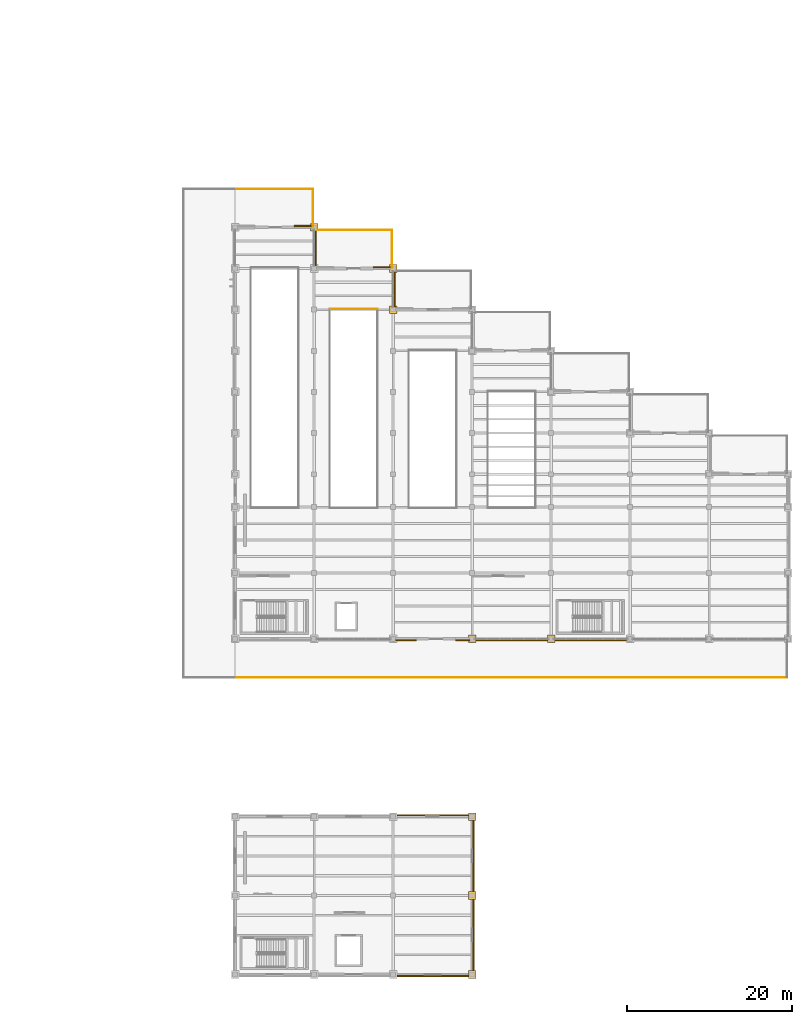
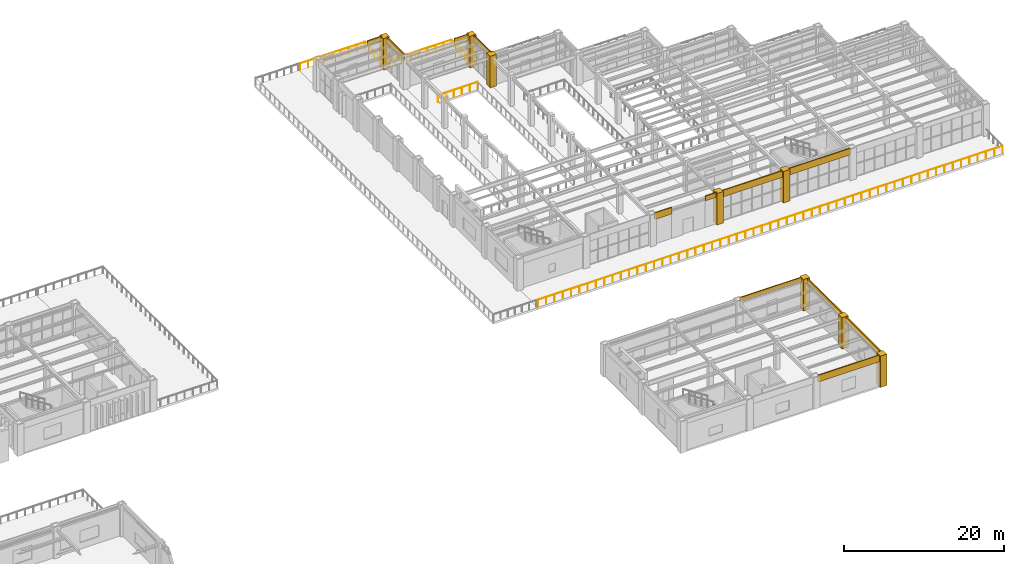
# One storey, part 80 of 83: 20 coverings, 6 railings.
"""IFC4 building model written with IfcOpenShell, lengths in metres."""

from ifc_helpers import new_model, si_unit, direction, frame, origin, origin_2d, place, context, subcontext, project, spatial, polyline, circle, outline, extrude, material, layer, layer_set, type_object, element, save


model = new_model("IFC4")

# Units and contexts
model_context = context("Model", 3, precision=1e-05, world=origin(), true_north=direction((0.0, 1.0)))
body_context = subcontext(model_context, "Body", "Model", "MODEL_VIEW")
ifc_project = project(units=[si_unit("LENGTHUNIT", "METRE"), si_unit("AREAUNIT", "SQUARE_METRE"), si_unit("VOLUMEUNIT", "CUBIC_METRE"), si_unit("PLANEANGLEUNIT", "RADIAN"), si_unit("MASSUNIT", "GRAM", prefix="KILO")], contexts=[model_context])

# Site, building, storey
site_placement = place(None, origin())
site = spatial("IfcSite", under=ifc_project, at=site_placement, CompositionType="ELEMENT")
building_placement = place(site_placement, origin())
building = spatial("IfcBuilding", under=site, at=building_placement, Name="Mavantir Sound Aquarium", CompositionType="ELEMENT")
storey_placement = place(building_placement, frame((0.0, 0.0, 10.5)))
storey = spatial("IfcBuildingStorey", under=building, at=storey_placement, Name="L02", CompositionType="ELEMENT", Elevation=10.5)

# Coverings
ifc_material_1 = material(Name="Honed Coral-Limestone & Glazed Terracotta Rainscreen Cladding", Category="masonry")
ifc_layer = layer(ifc_material_1, 0.06005859375, Name="Honed Coral-Limestone & Glazed Terracotta Rainscreen Cladding")
ifc_layer_set = layer_set([ifc_layer], Name="Honed Coral-Limestone & Glazed Terracotta Rainscreen Cladding")
covering_type = type_object("IfcCoveringType", Name="COV-CLAD-TC", PredefinedType="CLADDING", material=ifc_layer_set)
covering_1_placement = place(storey_placement, frame((0.0, 0.0, 3.862060546875)))
element("IfcCovering", 1, at=covering_1_placement, inside=storey, type_object=covering_type, Name="L02 Postmodern coral-limestone spandrel frieze 351", PredefinedType="CLADDING", context=body_context, shape_type="SweptSolid", body=[
    extrude(outline(polyline([(127.2900390625, 81.10791015625), (127.2900390625, 85.491943359375), (127.43994140625, 85.491943359375), (127.43994140625, 81.10791015625), (127.2900390625, 81.10791015625)])), origin(), (0.0, 0.0, 1.0), 0.93798828125),
])
covering_2_placement = place(storey_placement, frame((0.0, 0.0, 3.862060546875)))
element("IfcCovering", 2, at=covering_2_placement, inside=storey, type_object=covering_type, Name="L02 Postmodern coral-limestone spandrel frieze 352", PredefinedType="CLADDING", context=body_context, shape_type="SweptSolid", body=[
    extrude(outline(polyline([(126.89208984375, 85.889892578125), (124.804931640625, 85.889892578125), (124.804931640625, 86.0400390625), (126.89208984375, 86.0400390625), (126.89208984375, 85.889892578125)])), origin(), (0.0, 0.0, 1.0), 0.93798828125),
])
covering_3_placement = place(storey_placement, frame((0.0, 0.0, 3.7939453125)))
element("IfcCovering", 3, at=covering_3_placement, inside=storey, type_object=covering_type, Name="L02 Postmodern coral-limestone spandrel frieze 354", PredefinedType="CLADDING", context=body_context, shape_type="SweptSolid", body=[
    extrude(outline(polyline([(117.68994140625, 86.10791015625), (117.68994140625, 90.491943359375), (117.840087890625, 90.491943359375), (117.840087890625, 86.10791015625), (117.68994140625, 86.10791015625)])), origin(), (0.0, 0.0, 1.0), 1.006103515625),
])
covering_4_placement = place(storey_placement, frame((0.0, 0.0, 4.097900390625)))
element("IfcCovering", 4, at=covering_4_placement, inside=storey, type_object=covering_type, Name="L02 Postmodern coral-limestone spandrel frieze 355", PredefinedType="CLADDING", context=body_context, shape_type="SweptSolid", body=[
    extrude(outline(polyline([(117.2919921875, 90.889892578125), (115.205078125, 90.889892578125), (115.205078125, 91.0400390625), (117.2919921875, 91.0400390625), (117.2919921875, 90.889892578125)])), origin(), (0.0, 0.0, 1.0), 0.7021484375),
])
covering_5_placement = place(storey_placement, frame((0.0, 0.0, 3.794921875)))
element("IfcCovering", 5, at=covering_5_placement, inside=storey, type_object=covering_type, Name="L02 Postmodern coral-limestone spandrel frieze 367", PredefinedType="CLADDING", context=body_context, shape_type="SweptSolid", body=[
    extrude(outline(polyline([(127.508056640625, 40.7099609375), (129.9951171875, 40.7099609375), (129.9951171875, 40.56005859375), (127.508056640625, 40.56005859375), (127.508056640625, 40.7099609375)])), origin(), (0.0, 0.0, 1.0), 1.005126953125),
])
covering_6_placement = place(storey_placement, frame((0.0, 0.0, 4.097900390625)))
element("IfcCovering", 6, at=covering_6_placement, inside=storey, type_object=covering_type, Name="L02 Postmodern coral-limestone spandrel frieze 368", PredefinedType="CLADDING", context=body_context, shape_type="SweptSolid", body=[
    extrude(outline(polyline([(134.804931640625, 40.7099609375), (136.491943359375, 40.7099609375), (136.491943359375, 40.56005859375), (134.804931640625, 40.56005859375), (134.804931640625, 40.7099609375)])), origin(), (0.0, 0.0, 1.0), 0.7021484375),
])
covering_7_placement = place(storey_placement, frame((0.0, 0.0, 3.794921875)))
element("IfcCovering", 7, at=covering_7_placement, inside=storey, type_object=covering_type, Name="L02 Postmodern coral-limestone spandrel frieze 369", PredefinedType="CLADDING", context=body_context, shape_type="SweptSolid", body=[
    extrude(outline(polyline([(137.10791015625, 40.7099609375), (146.092041015625, 40.7099609375), (146.092041015625, 40.56005859375), (137.10791015625, 40.56005859375), (137.10791015625, 40.7099609375)])), origin(), (0.0, 0.0, 1.0), 1.005126953125),
])
covering_8_placement = place(storey_placement, frame((0.0, 0.0, 3.794921875)))
element("IfcCovering", 8, at=covering_8_placement, inside=storey, type_object=covering_type, Name="L02 Postmodern coral-limestone spandrel frieze 370", PredefinedType="CLADDING", context=body_context, shape_type="SweptSolid", body=[
    extrude(outline(polyline([(146.7080078125, 40.7099609375), (155.69189453125, 40.7099609375), (155.69189453125, 40.56005859375), (146.7080078125, 40.56005859375), (146.7080078125, 40.7099609375)])), origin(), (0.0, 0.0, 1.0), 1.005126953125),
])
covering_9_placement = place(storey_placement, frame((0.0, 0.0, 3.97900390625)))
element("IfcCovering", 9, at=covering_9_placement, inside=storey, type_object=covering_type, Name="L02 Postmodern coral-limestone spandrel frieze 389", PredefinedType="CLADDING", context=body_context, shape_type="SweptSolid", body=[
    extrude(outline(polyline([(136.889892578125, 0.30810546875), (136.889892578125, 9.2919921875), (137.0400390625, 9.2919921875), (137.0400390625, 0.30810546875), (136.889892578125, 0.30810546875)])), origin(), (0.0, 0.0, 1.0), 0.821044921875),
])
covering_10_placement = place(storey_placement, frame((0.0, 0.0, 3.97900390625)))
element("IfcCovering", 10, at=covering_10_placement, inside=storey, type_object=covering_type, Name="L02 Postmodern coral-limestone spandrel frieze 390", PredefinedType="CLADDING", context=body_context, shape_type="SweptSolid", body=[
    extrude(outline(polyline([(136.889892578125, 9.907958984375), (136.889892578125, 18.89208984375), (137.0400390625, 18.89208984375), (137.0400390625, 9.907958984375), (136.889892578125, 9.907958984375)])), origin(), (0.0, 0.0, 1.0), 0.821044921875),
])
covering_11_placement = place(storey_placement, frame((0.0, 0.0, 4.087890625)))
element("IfcCovering", 11, at=covering_11_placement, inside=storey, type_object=covering_type, Name="L02 Postmodern coral-limestone spandrel frieze 391", PredefinedType="CLADDING", context=body_context, shape_type="SweptSolid", body=[
    extrude(outline(polyline([(136.491943359375, 19.2900390625), (127.508056640625, 19.2900390625), (127.508056640625, 19.43994140625), (136.491943359375, 19.43994140625), (136.491943359375, 19.2900390625)])), origin(), (0.0, 0.0, 1.0), 0.712158203125),
])
covering_12_placement = place(storey_placement, frame((0.0, 0.0, 3.784912109375)))
element("IfcCovering", 12, at=covering_12_placement, inside=storey, type_object=covering_type, Name="L02 Postmodern coral-limestone spandrel frieze 398", PredefinedType="CLADDING", context=body_context, shape_type="SweptSolid", body=[
    extrude(outline(polyline([(127.508056640625, -0.090087890625), (136.491943359375, -0.090087890625), (136.491943359375, -0.239990234375), (127.508056640625, -0.239990234375), (127.508056640625, -0.090087890625)])), origin(), (0.0, 0.0, 1.0), 1.01513671875),
])
covering_13_placement = place(storey_placement, origin())
element("IfcCovering", 13, at=covering_13_placement, inside=storey, type_object=covering_type, Name="L02 Postmodern coral-limestone pilaster casing 259", PredefinedType="CLADDING", context=body_context, shape_type="SweptSolid", body=[
    extrude(outline(polyline([(117.139892578125, 90.340087890625), (118.06005859375, 90.340087890625), (118.06005859375, 91.260009765625), (117.139892578125, 91.260009765625), (117.139892578125, 90.340087890625)])), origin(), (0.0, 0.0, 1.0), 4.800048828125),
])
covering_14_placement = place(storey_placement, origin())
element("IfcCovering", 14, at=covering_14_placement, inside=storey, type_object=covering_type, Name="L02 Postmodern coral-limestone pilaster casing 267", PredefinedType="CLADDING", context=body_context, shape_type="SweptSolid", body=[
    extrude(outline(polyline([(126.739990234375, 80.340087890625), (127.659912109375, 80.340087890625), (127.659912109375, 81.260009765625), (126.739990234375, 81.260009765625), (126.739990234375, 80.340087890625)])), origin(), (0.0, 0.0, 1.0), 4.800048828125),
])
covering_15_placement = place(storey_placement, origin())
element("IfcCovering", 15, at=covering_15_placement, inside=storey, type_object=covering_type, Name="L02 Postmodern coral-limestone pilaster casing 271", PredefinedType="CLADDING", context=body_context, shape_type="SweptSolid", body=[
    extrude(outline(polyline([(126.739990234375, 85.340087890625), (127.659912109375, 85.340087890625), (127.659912109375, 86.260009765625), (126.739990234375, 86.260009765625), (126.739990234375, 85.340087890625)])), origin(), (0.0, 0.0, 1.0), 4.800048828125),
])
covering_16_placement = place(storey_placement, origin())
element("IfcCovering", 16, at=covering_16_placement, inside=storey, type_object=covering_type, Name="L02 Postmodern coral-limestone pilaster casing 277", PredefinedType="CLADDING", context=body_context, shape_type="SweptSolid", body=[
    extrude(outline(polyline([(136.340087890625, 40.340087890625), (137.260009765625, 40.340087890625), (137.260009765625, 41.260009765625), (136.340087890625, 41.260009765625), (136.340087890625, 40.340087890625)])), origin(), (0.0, 0.0, 1.0), 4.800048828125),
])
covering_17_placement = place(storey_placement, origin())
element("IfcCovering", 17, at=covering_17_placement, inside=storey, type_object=covering_type, Name="L02 Postmodern coral-limestone pilaster casing 289", PredefinedType="CLADDING", context=body_context, shape_type="SweptSolid", body=[
    extrude(outline(polyline([(145.93994140625, 40.340087890625), (146.860107421875, 40.340087890625), (146.860107421875, 41.260009765625), (145.93994140625, 41.260009765625), (145.93994140625, 40.340087890625)])), origin(), (0.0, 0.0, 1.0), 4.800048828125),
])
covering_18_placement = place(storey_placement, origin())
element("IfcCovering", 18, at=covering_18_placement, inside=storey, type_object=covering_type, Name="L02 Postmodern coral-limestone pilaster casing 449", PredefinedType="CLADDING", context=body_context, shape_type="SweptSolid", body=[
    extrude(outline(polyline([(136.340087890625, -0.4599609375), (137.260009765625, -0.4599609375), (137.260009765625, 0.4599609375), (136.340087890625, 0.4599609375), (136.340087890625, -0.4599609375)])), origin(), (0.0, 0.0, 1.0), 4.800048828125),
])
covering_19_placement = place(storey_placement, origin())
element("IfcCovering", 19, at=covering_19_placement, inside=storey, type_object=covering_type, Name="L02 Postmodern coral-limestone pilaster casing 450", PredefinedType="CLADDING", context=body_context, shape_type="SweptSolid", body=[
    extrude(outline(polyline([(136.340087890625, 9.139892578125), (137.260009765625, 9.139892578125), (137.260009765625, 10.06005859375), (136.340087890625, 10.06005859375), (136.340087890625, 9.139892578125)])), origin(), (0.0, 0.0, 1.0), 4.800048828125),
])
covering_20_placement = place(storey_placement, origin())
element("IfcCovering", 20, at=covering_20_placement, inside=storey, type_object=covering_type, Name="L02 Postmodern coral-limestone pilaster casing 452", PredefinedType="CLADDING", context=body_context, shape_type="SweptSolid", body=[
    extrude(outline(polyline([(136.340087890625, 18.739990234375), (137.260009765625, 18.739990234375), (137.260009765625, 19.659912109375), (136.340087890625, 19.659912109375), (136.340087890625, 18.739990234375)])), origin(), (0.0, 0.0, 1.0), 4.800048828125),
])

# Railings
ifc_material_2 = material(Name="Stainless Steel 316 and Laminated Glass Guardrail", Category="steel")
railing_type = type_object("IfcRailingType", Name="RL-GUARD-110", PredefinedType="GUARDRAIL", material=ifc_material_2)
railing_1_placement = place(storey_placement, frame((108.1201171875, 36.1201171875, 0.0)))
element("IfcRailing", 21, at=railing_1_placement, inside=storey, type_object=railing_type, Name="L02 terrace S guardrail 39", PredefinedType="GUARDRAIL", context=body_context, shape_type="SweptSolid", body=[
    extrude(circle(Radius=0.02392578125, at=origin_2d()), frame((0.0, 0.0, 1.076171875), z_axis=(1.0, 0.0, 0.0), x_axis=(0.0, 1.0, 0.0)), (0.0, 0.0, 1.0), 66.9599609375),
    extrude(circle(Radius=0.02099609375, at=origin_2d()), origin(), (0.0, 0.0, 1.0), 1.052001953125),
    extrude(circle(Radius=0.02099609375, at=origin_2d()), frame((1.19580078125, 0.0, 0.0)), (0.0, 0.0, 1.0), 1.052001953125),
    extrude(circle(Radius=0.02099609375, at=origin_2d()), frame((2.391357421875, 0.0, 0.0)), (0.0, 0.0, 1.0), 1.052001953125),
    extrude(circle(Radius=0.02099609375, at=origin_2d()), frame((3.587158203125, 0.0, 0.0)), (0.0, 0.0, 1.0), 1.052001953125),
    extrude(circle(Radius=0.02099609375, at=origin_2d()), frame((4.782958984375, 0.0, 0.0)), (0.0, 0.0, 1.0), 1.052001953125),
    extrude(circle(Radius=0.02099609375, at=origin_2d()), frame((5.978515625, 0.0, 0.0)), (0.0, 0.0, 1.0), 1.052001953125),
    extrude(circle(Radius=0.02099609375, at=origin_2d()), frame((7.17431640625, 0.0, 0.0)), (0.0, 0.0, 1.0), 1.052001953125),
    extrude(circle(Radius=0.02099609375, at=origin_2d()), frame((8.3701171875, 0.0, 0.0)), (0.0, 0.0, 1.0), 1.052001953125),
    extrude(circle(Radius=0.02099609375, at=origin_2d()), frame((9.565673828125, 0.0, 0.0)), (0.0, 0.0, 1.0), 1.052001953125),
    extrude(circle(Radius=0.02099609375, at=origin_2d()), frame((10.761474609375, 0.0, 0.0)), (0.0, 0.0, 1.0), 1.052001953125),
    extrude(circle(Radius=0.02099609375, at=origin_2d()), frame((11.95703125, 0.0, 0.0)), (0.0, 0.0, 1.0), 1.052001953125),
    extrude(circle(Radius=0.02099609375, at=origin_2d()), frame((13.15283203125, 0.0, 0.0)), (0.0, 0.0, 1.0), 1.052001953125),
    extrude(circle(Radius=0.02099609375, at=origin_2d()), frame((14.3486328125, 0.0, 0.0)), (0.0, 0.0, 1.0), 1.052001953125),
    extrude(circle(Radius=0.02099609375, at=origin_2d()), frame((15.544189453125, 0.0, 0.0)), (0.0, 0.0, 1.0), 1.052001953125),
    extrude(circle(Radius=0.02099609375, at=origin_2d()), frame((16.739990234375, 0.0, 0.0)), (0.0, 0.0, 1.0), 1.052001953125),
    extrude(circle(Radius=0.02099609375, at=origin_2d()), frame((17.935791015625, 0.0, 0.0)), (0.0, 0.0, 1.0), 1.052001953125),
    extrude(circle(Radius=0.02099609375, at=origin_2d()), frame((19.13134765625, 0.0, 0.0)), (0.0, 0.0, 1.0), 1.052001953125),
    extrude(circle(Radius=0.02099609375, at=origin_2d()), frame((20.3271484375, 0.0, 0.0)), (0.0, 0.0, 1.0), 1.052001953125),
    extrude(circle(Radius=0.02099609375, at=origin_2d()), frame((21.52294921875, 0.0, 0.0)), (0.0, 0.0, 1.0), 1.052001953125),
    extrude(circle(Radius=0.02099609375, at=origin_2d()), frame((22.718505859375, 0.0, 0.0)), (0.0, 0.0, 1.0), 1.052001953125),
    extrude(circle(Radius=0.02099609375, at=origin_2d()), frame((23.914306640625, 0.0, 0.0)), (0.0, 0.0, 1.0), 1.052001953125),
    extrude(circle(Radius=0.02099609375, at=origin_2d()), frame((25.10986328125, 0.0, 0.0)), (0.0, 0.0, 1.0), 1.052001953125),
    extrude(circle(Radius=0.02099609375, at=origin_2d()), frame((26.3056640625, 0.0, 0.0)), (0.0, 0.0, 1.0), 1.052001953125),
    extrude(circle(Radius=0.02099609375, at=origin_2d()), frame((27.50146484375, 0.0, 0.0)), (0.0, 0.0, 1.0), 1.052001953125),
    extrude(circle(Radius=0.02099609375, at=origin_2d()), frame((28.697021484375, 0.0, 0.0)), (0.0, 0.0, 1.0), 1.052001953125),
    extrude(circle(Radius=0.02099609375, at=origin_2d()), frame((29.892822265625, 0.0, 0.0)), (0.0, 0.0, 1.0), 1.052001953125),
    extrude(circle(Radius=0.02099609375, at=origin_2d()), frame((31.088623046875, 0.0, 0.0)), (0.0, 0.0, 1.0), 1.052001953125),
    extrude(circle(Radius=0.02099609375, at=origin_2d()), frame((32.2841796875, 0.0, 0.0)), (0.0, 0.0, 1.0), 1.052001953125),
    extrude(circle(Radius=0.02099609375, at=origin_2d()), frame((33.47998046875, 0.0, 0.0)), (0.0, 0.0, 1.0), 1.052001953125),
    extrude(circle(Radius=0.02099609375, at=origin_2d()), frame((34.67578125, 0.0, 0.0)), (0.0, 0.0, 1.0), 1.052001953125),
    extrude(circle(Radius=0.02099609375, at=origin_2d()), frame((35.871337890625, 0.0, 0.0)), (0.0, 0.0, 1.0), 1.052001953125),
    extrude(circle(Radius=0.02099609375, at=origin_2d()), frame((37.067138671875, 0.0, 0.0)), (0.0, 0.0, 1.0), 1.052001953125),
    extrude(circle(Radius=0.02099609375, at=origin_2d()), frame((38.262939453125, 0.0, 0.0)), (0.0, 0.0, 1.0), 1.052001953125),
    extrude(circle(Radius=0.02099609375, at=origin_2d()), frame((39.45849609375, 0.0, 0.0)), (0.0, 0.0, 1.0), 1.052001953125),
    extrude(circle(Radius=0.02099609375, at=origin_2d()), frame((40.654296875, 0.0, 0.0)), (0.0, 0.0, 1.0), 1.052001953125),
    extrude(circle(Radius=0.02099609375, at=origin_2d()), frame((41.85009765625, 0.0, 0.0)), (0.0, 0.0, 1.0), 1.052001953125),
    extrude(circle(Radius=0.02099609375, at=origin_2d()), frame((43.045654296875, 0.0, 0.0)), (0.0, 0.0, 1.0), 1.052001953125),
    extrude(circle(Radius=0.02099609375, at=origin_2d()), frame((44.241455078125, 0.0, 0.0)), (0.0, 0.0, 1.0), 1.052001953125),
    extrude(circle(Radius=0.02099609375, at=origin_2d()), frame((45.43701171875, 0.0, 0.0)), (0.0, 0.0, 1.0), 1.052001953125),
    extrude(circle(Radius=0.02099609375, at=origin_2d()), frame((46.6328125, 0.0, 0.0)), (0.0, 0.0, 1.0), 1.052001953125),
    extrude(circle(Radius=0.02099609375, at=origin_2d()), frame((47.82861328125, 0.0, 0.0)), (0.0, 0.0, 1.0), 1.052001953125),
    extrude(circle(Radius=0.02099609375, at=origin_2d()), frame((49.024169921875, 0.0, 0.0)), (0.0, 0.0, 1.0), 1.052001953125),
    extrude(circle(Radius=0.02099609375, at=origin_2d()), frame((50.219970703125, 0.0, 0.0)), (0.0, 0.0, 1.0), 1.052001953125),
    extrude(circle(Radius=0.02099609375, at=origin_2d()), frame((51.415771484375, 0.0, 0.0)), (0.0, 0.0, 1.0), 1.052001953125),
    extrude(circle(Radius=0.02099609375, at=origin_2d()), frame((52.611328125, 0.0, 0.0)), (0.0, 0.0, 1.0), 1.052001953125),
    extrude(circle(Radius=0.02099609375, at=origin_2d()), frame((53.80712890625, 0.0, 0.0)), (0.0, 0.0, 1.0), 1.052001953125),
    extrude(circle(Radius=0.02099609375, at=origin_2d()), frame((55.0029296875, 0.0, 0.0)), (0.0, 0.0, 1.0), 1.052001953125),
    extrude(circle(Radius=0.02099609375, at=origin_2d()), frame((56.198486328125, 0.0, 0.0)), (0.0, 0.0, 1.0), 1.052001953125),
    extrude(circle(Radius=0.02099609375, at=origin_2d()), frame((57.394287109375, 0.0, 0.0)), (0.0, 0.0, 1.0), 1.052001953125),
    extrude(circle(Radius=0.02099609375, at=origin_2d()), frame((58.58984375, 0.0, 0.0)), (0.0, 0.0, 1.0), 1.052001953125),
    extrude(circle(Radius=0.02099609375, at=origin_2d()), frame((59.78564453125, 0.0, 0.0)), (0.0, 0.0, 1.0), 1.052001953125),
    extrude(circle(Radius=0.02099609375, at=origin_2d()), frame((60.9814453125, 0.0, 0.0)), (0.0, 0.0, 1.0), 1.052001953125),
    extrude(circle(Radius=0.02099609375, at=origin_2d()), frame((62.177001953125, 0.0, 0.0)), (0.0, 0.0, 1.0), 1.052001953125),
    extrude(circle(Radius=0.02099609375, at=origin_2d()), frame((63.372802734375, 0.0, 0.0)), (0.0, 0.0, 1.0), 1.052001953125),
    extrude(circle(Radius=0.02099609375, at=origin_2d()), frame((64.568603515625, 0.0, 0.0)), (0.0, 0.0, 1.0), 1.052001953125),
    extrude(circle(Radius=0.02099609375, at=origin_2d()), frame((65.76416015625, 0.0, 0.0)), (0.0, 0.0, 1.0), 1.052001953125),
    extrude(circle(Radius=0.02099609375, at=origin_2d()), frame((66.9599609375, 0.0, 0.0)), (0.0, 0.0, 1.0), 1.052001953125),
])
railing_2_placement = place(storey_placement, frame((108.1201171875, 95.47998046875, 0.0)))
element("IfcRailing", 22, at=railing_2_placement, inside=storey, type_object=railing_type, Name="L02 terrace N guardrail 41", PredefinedType="GUARDRAIL", context=body_context, shape_type="SweptSolid", body=[
    extrude(circle(Radius=0.02392578125, at=origin_2d()), frame((0.0, 0.0, 1.076171875), z_axis=(1.0, 0.0, 0.0), x_axis=(0.0, 1.0, 0.0)), (0.0, 0.0, 1.0), 9.35986328125),
    extrude(circle(Radius=0.02099609375, at=origin_2d()), origin(), (0.0, 0.0, 1.0), 1.052001953125),
    extrude(circle(Radius=0.02099609375, at=origin_2d()), frame((1.169921875, 0.0, 0.0)), (0.0, 0.0, 1.0), 1.052001953125),
    extrude(circle(Radius=0.02099609375, at=origin_2d()), frame((2.33984375, 0.0, 0.0)), (0.0, 0.0, 1.0), 1.052001953125),
    extrude(circle(Radius=0.02099609375, at=origin_2d()), frame((3.510009765625, 0.0, 0.0)), (0.0, 0.0, 1.0), 1.052001953125),
    extrude(circle(Radius=0.02099609375, at=origin_2d()), frame((4.679931640625, 0.0, 0.0)), (0.0, 0.0, 1.0), 1.052001953125),
    extrude(circle(Radius=0.02099609375, at=origin_2d()), frame((5.849853515625, 0.0, 0.0)), (0.0, 0.0, 1.0), 1.052001953125),
    extrude(circle(Radius=0.02099609375, at=origin_2d()), frame((7.02001953125, 0.0, 0.0)), (0.0, 0.0, 1.0), 1.052001953125),
    extrude(circle(Radius=0.02099609375, at=origin_2d()), frame((8.18994140625, 0.0, 0.0)), (0.0, 0.0, 1.0), 1.052001953125),
    extrude(circle(Radius=0.02099609375, at=origin_2d()), frame((9.35986328125, 0.0, 0.0)), (0.0, 0.0, 1.0), 1.052001953125),
])
railing_3_placement = place(storey_placement, frame((117.47998046875, 90.919921875, 0.0)))
element("IfcRailing", 23, at=railing_3_placement, inside=storey, type_object=railing_type, Name="L02 terrace E guardrail 42", PredefinedType="GUARDRAIL", context=body_context, shape_type="SweptSolid", body=[
    extrude(circle(Radius=0.02392578125, at=origin_2d()), frame((0.0, 0.0, 1.076171875), z_axis=(0.0, 1.0, 0.0), x_axis=(-1.0, 0.0, 0.0)), (0.0, 0.0, 1.0), 4.56005859375),
    extrude(circle(Radius=0.02099609375, at=origin_2d()), origin(), (0.0, 0.0, 1.0), 1.052001953125),
    extrude(circle(Radius=0.02099609375, at=origin_2d()), frame((0.0, 1.14013671875, 0.0)), (0.0, 0.0, 1.0), 1.052001953125),
    extrude(circle(Radius=0.02099609375, at=origin_2d()), frame((0.0, 2.280029296875, 0.0)), (0.0, 0.0, 1.0), 1.052001953125),
    extrude(circle(Radius=0.02099609375, at=origin_2d()), frame((0.0, 3.419921875, 0.0)), (0.0, 0.0, 1.0), 1.052001953125),
    extrude(circle(Radius=0.02099609375, at=origin_2d()), frame((0.0, 4.56005859375, 0.0)), (0.0, 0.0, 1.0), 1.052001953125),
])
railing_4_placement = place(storey_placement, frame((117.719970703125, 90.47998046875, 0.0)))
element("IfcRailing", 24, at=railing_4_placement, inside=storey, type_object=railing_type, Name="L02 terrace N guardrail 43", PredefinedType="GUARDRAIL", context=body_context, shape_type="SweptSolid", body=[
    extrude(circle(Radius=0.02392578125, at=origin_2d()), frame((0.0, 0.0, 1.076171875), z_axis=(1.0, 0.0, 0.0), x_axis=(0.0, 1.0, 0.0)), (0.0, 0.0, 1.0), 9.360107421875),
    extrude(circle(Radius=0.02099609375, at=origin_2d()), origin(), (0.0, 0.0, 1.0), 1.052001953125),
    extrude(circle(Radius=0.02099609375, at=origin_2d()), frame((1.169921875, 0.0, 0.0)), (0.0, 0.0, 1.0), 1.052001953125),
    extrude(circle(Radius=0.02099609375, at=origin_2d()), frame((2.340087890625, 0.0, 0.0)), (0.0, 0.0, 1.0), 1.052001953125),
    extrude(circle(Radius=0.02099609375, at=origin_2d()), frame((3.510009765625, 0.0, 0.0)), (0.0, 0.0, 1.0), 1.052001953125),
    extrude(circle(Radius=0.02099609375, at=origin_2d()), frame((4.68017578125, 0.0, 0.0)), (0.0, 0.0, 1.0), 1.052001953125),
    extrude(circle(Radius=0.02099609375, at=origin_2d()), frame((5.85009765625, 0.0, 0.0)), (0.0, 0.0, 1.0), 1.052001953125),
    extrude(circle(Radius=0.02099609375, at=origin_2d()), frame((7.02001953125, 0.0, 0.0)), (0.0, 0.0, 1.0), 1.052001953125),
    extrude(circle(Radius=0.02099609375, at=origin_2d()), frame((8.190185546875, 0.0, 0.0)), (0.0, 0.0, 1.0), 1.052001953125),
    extrude(circle(Radius=0.02099609375, at=origin_2d()), frame((9.360107421875, 0.0, 0.0)), (0.0, 0.0, 1.0), 1.052001953125),
])
railing_5_placement = place(storey_placement, frame((127.080078125, 85.919921875, 0.0)))
element("IfcRailing", 25, at=railing_5_placement, inside=storey, type_object=railing_type, Name="L02 terrace E guardrail 44", PredefinedType="GUARDRAIL", context=body_context, shape_type="SweptSolid", body=[
    extrude(circle(Radius=0.02392578125, at=origin_2d()), frame((0.0, 0.0, 1.076171875), z_axis=(0.0, 1.0, 0.0), x_axis=(-1.0, 0.0, 0.0)), (0.0, 0.0, 1.0), 4.56005859375),
    extrude(circle(Radius=0.02099609375, at=origin_2d()), origin(), (0.0, 0.0, 1.0), 1.052001953125),
    extrude(circle(Radius=0.02099609375, at=origin_2d()), frame((0.0, 1.14013671875, 0.0)), (0.0, 0.0, 1.0), 1.052001953125),
    extrude(circle(Radius=0.02099609375, at=origin_2d()), frame((0.0, 2.280029296875, 0.0)), (0.0, 0.0, 1.0), 1.052001953125),
    extrude(circle(Radius=0.02099609375, at=origin_2d()), frame((0.0, 3.419921875, 0.0)), (0.0, 0.0, 1.0), 1.052001953125),
    extrude(circle(Radius=0.02099609375, at=origin_2d()), frame((0.0, 4.56005859375, 0.0)), (0.0, 0.0, 1.0), 1.052001953125),
])
railing_6_placement = place(storey_placement, frame((125.300048828125, 80.89990234375, 0.0)))
element("IfcRailing", 26, at=railing_6_placement, inside=storey, type_object=railing_type, Name="L02 atrium void N guardrail 133", PredefinedType="GUARDRAIL", context=body_context, shape_type="SweptSolid", body=[
    extrude(circle(Radius=0.02392578125, at=origin_2d()), frame((0.0, 0.0, 1.076171875), z_axis=(-1.0, 0.0, 0.0), x_axis=(0.0, -1.0, 0.0)), (0.0, 0.0, 1.0), 5.719970703125),
    extrude(circle(Radius=0.02099609375, at=origin_2d()), origin(), (0.0, 0.0, 1.0), 1.052001953125),
    extrude(circle(Radius=0.02099609375, at=origin_2d()), frame((-1.14404296875, 0.0, 0.0)), (0.0, 0.0, 1.0), 1.052001953125),
    extrude(circle(Radius=0.02099609375, at=origin_2d()), frame((-2.2880859375, 0.0, 0.0)), (0.0, 0.0, 1.0), 1.052001953125),
    extrude(circle(Radius=0.02099609375, at=origin_2d()), frame((-3.431884765625, 0.0, 0.0)), (0.0, 0.0, 1.0), 1.052001953125),
    extrude(circle(Radius=0.02099609375, at=origin_2d()), frame((-4.575927734375, 0.0, 0.0)), (0.0, 0.0, 1.0), 1.052001953125),
    extrude(circle(Radius=0.02099609375, at=origin_2d()), frame((-5.719970703125, 0.0, 0.0)), (0.0, 0.0, 1.0), 1.052001953125),
])

save(model, "model.ifc")
